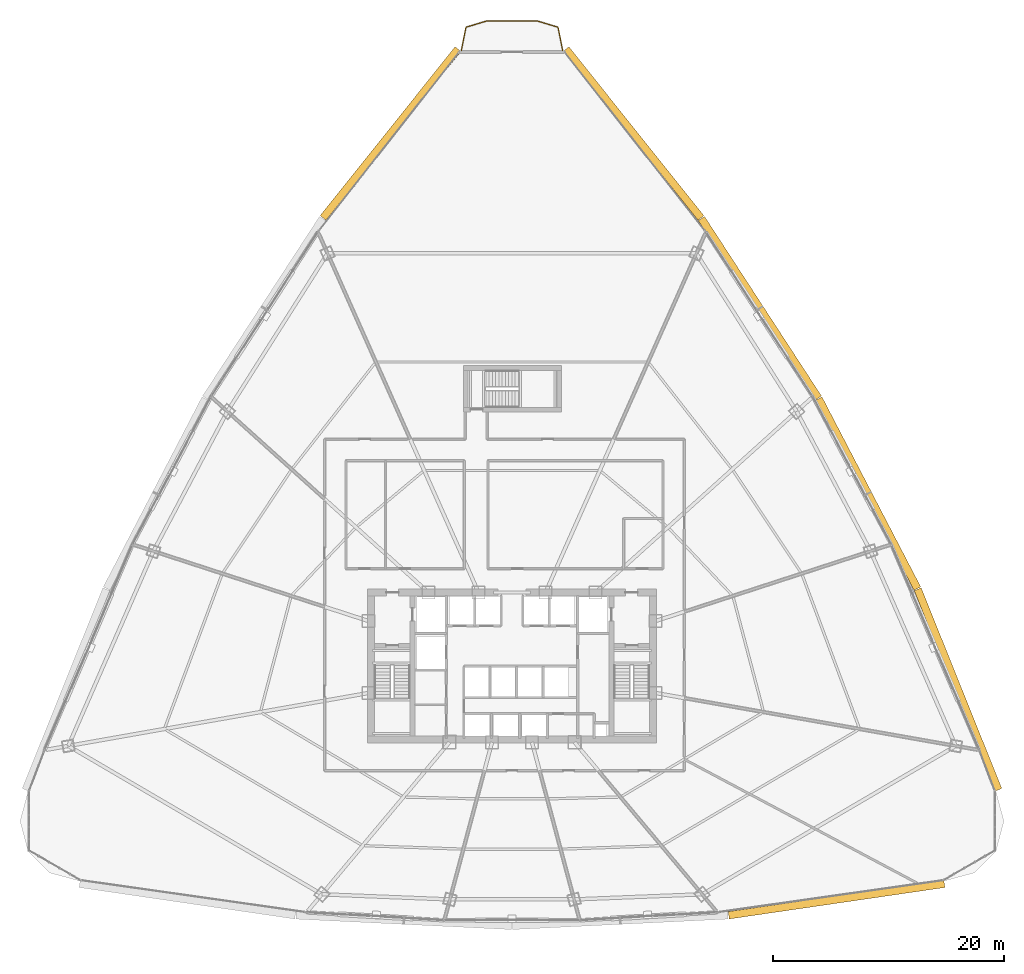
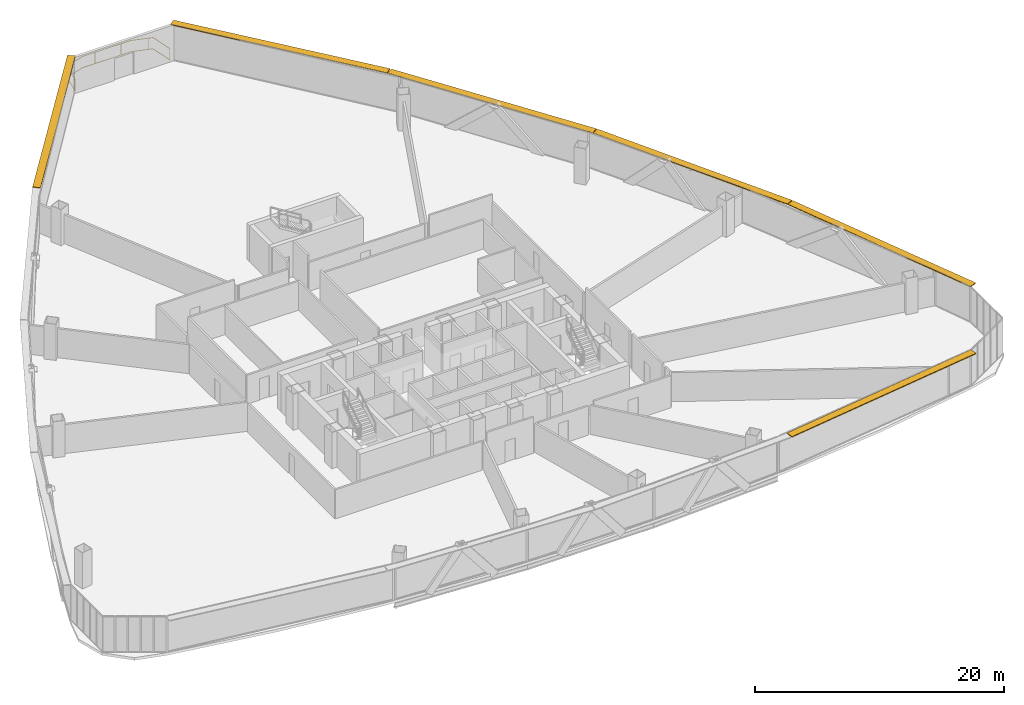
# One storey, part 39 of 39: 6 shading devices, 1 railing.
"""IFC4 building model written with IfcOpenShell, lengths in metres."""

from ifc_helpers import new_model, si_unit, direction, frame, origin, origin_2d, place, context, subcontext, project, spatial, rectangle, extrude, source, transform, mapped, material, layer, layer_set, type_object, element, save


model = new_model("IFC4")

# Units and contexts
model_context = context("Model", 3, precision=1e-05, world=origin(), true_north=direction((0.0, 1.0)))
body_context = subcontext(model_context, "Body", "Model", "MODEL_VIEW")
ifc_project = project(units=[si_unit("LENGTHUNIT", "METRE"), si_unit("AREAUNIT", "SQUARE_METRE"), si_unit("VOLUMEUNIT", "CUBIC_METRE"), si_unit("PLANEANGLEUNIT", "RADIAN"), si_unit("MASSUNIT", "GRAM", prefix="KILO"), si_unit("THERMODYNAMICTEMPERATUREUNIT", "KELVIN"), si_unit("POWERUNIT", "WATT")], contexts=[model_context])

# Site, building, storey
site_placement = place(None, origin())
site = spatial("IfcSite", under=ifc_project, at=site_placement, CompositionType="ELEMENT")
building_placement = place(site_placement, origin())
building = spatial("IfcBuilding", under=site, at=building_placement, Name="Yunzhuo Pagoda Commons", CompositionType="ELEMENT")
storey_placement = place(building_placement, frame((0.0, 0.0, 100.179931640625)))
storey = spatial("IfcBuildingStorey", under=building, at=storey_placement, Name="L25", CompositionType="ELEMENT", Elevation=100.179931640625)

# Railing
ifc_material = material(Name="Anodized aluminium 6063-T6", Category="aluminium")
railing_type = type_object("IfcRailingType", Name="RL-BAL1 Exterior Terrace & Balcony Balustrade 1150", PredefinedType="BALUSTRADE", material=ifc_material)
railing_placement = place(storey_placement, frame((52.38232421875, 87.034912109375, 0.0)))
element("IfcRailing", 1, at=railing_placement, inside=storey, type_object=railing_type, Name="L25 corner balcony balustrade V3", PredefinedType="BALUSTRADE", context=body_context, shape_type="SweptSolid", body=[
    extrude(rectangle(XDim=0.048095703125, YDim=0.048095703125, at=origin_2d()), frame((0.0, 0.0, 1.1259765625), z_axis=(-0.194223156668, 0.980957371864, 0.0), x_axis=(-0.980957371864, -0.194223156668, 0.0)), (0.0, 0.0, 1.0), 2.05908203125),
    extrude(rectangle(XDim=0.048095703125, YDim=0.048095703125, at=origin_2d()), frame((0.0, 0.0, 0.02392578125), z_axis=(-0.194223156668, 0.980957371864, 0.0), x_axis=(-0.980957371864, -0.194223156668, 0.0)), (0.0, 0.0, 1.0), 2.05908203125),
    extrude(rectangle(XDim=0.048095703125, YDim=0.048095703125, at=origin_2d()), frame((-0.39990234375, 2.019775390625, 1.1259765625), z_axis=(-0.957121984822, 0.289685184588, 0.0), x_axis=(-0.289685184588, -0.957121984822, 0.0)), (0.0, 0.0, 1.0), 1.82958984375),
    extrude(rectangle(XDim=0.048095703125, YDim=0.048095703125, at=origin_2d()), frame((-0.39990234375, 2.019775390625, 0.02392578125), z_axis=(-0.957121984822, 0.289685184588, 0.0), x_axis=(-0.289685184588, -0.957121984822, 0.0)), (0.0, 0.0, 1.0), 1.82958984375),
    extrude(rectangle(XDim=0.048095703125, YDim=0.048095703125, at=origin_2d()), frame((-2.151123046875, 2.5498046875, 1.1259765625), z_axis=(-1.0, 0.0, 0.0), x_axis=(0.0, -1.0, 0.0)), (0.0, 0.0, 1.0), 4.46240234375),
    extrude(rectangle(XDim=0.048095703125, YDim=0.048095703125, at=origin_2d()), frame((-2.151123046875, 2.5498046875, 0.02392578125), z_axis=(-1.0, 0.0, 0.0), x_axis=(0.0, -1.0, 0.0)), (0.0, 0.0, 1.0), 4.46240234375),
    extrude(rectangle(XDim=0.048095703125, YDim=0.048095703125, at=origin_2d()), frame((-6.613525390625, 2.5498046875, 1.1259765625), z_axis=(-0.957121984822, -0.289685184588, 0.0), x_axis=(0.289685184588, -0.957121984822, 0.0)), (0.0, 0.0, 1.0), 1.82958984375),
    extrude(rectangle(XDim=0.048095703125, YDim=0.048095703125, at=origin_2d()), frame((-6.613525390625, 2.5498046875, 0.02392578125), z_axis=(-0.957121984822, -0.289685184588, 0.0), x_axis=(0.289685184588, -0.957121984822, 0.0)), (0.0, 0.0, 1.0), 1.82958984375),
    extrude(rectangle(XDim=0.048095703125, YDim=0.048095703125, at=origin_2d()), frame((-8.36474609375, 2.019775390625, 1.1259765625), z_axis=(-0.194223156668, -0.980957371864, 0.0), x_axis=(0.980957371864, -0.194223156668, 0.0)), (0.0, 0.0, 1.0), 2.05908203125),
    extrude(rectangle(XDim=0.048095703125, YDim=0.048095703125, at=origin_2d()), frame((-8.36474609375, 2.019775390625, 0.02392578125), z_axis=(-0.194223156668, -0.980957371864, 0.0), x_axis=(0.980957371864, -0.194223156668, 0.0)), (0.0, 0.0, 1.0), 2.05908203125),
    extrude(rectangle(XDim=0.0419921875, YDim=0.0419921875, at=origin_2d()), origin(), (0.0, 0.0, 1.0), 1.101806640625),
    extrude(rectangle(XDim=0.0419921875, YDim=0.0419921875, at=origin_2d()), frame((-0.726318359375, 2.11865234375, 0.0)), (0.0, 0.0, 1.0), 1.101806640625),
    extrude(rectangle(XDim=0.0419921875, YDim=0.0419921875, at=origin_2d()), frame((-3.0625, 2.5498046875, 0.0)), (0.0, 0.0, 1.0), 1.101806640625),
    extrude(rectangle(XDim=0.0419921875, YDim=0.0419921875, at=origin_2d()), frame((-5.46240234375, 2.5498046875, 0.0)), (0.0, 0.0, 1.0), 1.101806640625),
    extrude(rectangle(XDim=0.0419921875, YDim=0.0419921875, at=origin_2d()), frame((-7.808837890625, 2.18798828125, 0.0)), (0.0, 0.0, 1.0), 1.101806640625),
    extrude(rectangle(XDim=0.0419921875, YDim=0.0419921875, at=origin_2d()), frame((-8.718017578125, 0.235107421875, 0.0)), (0.0, 0.0, 1.0), 1.101806640625),
    extrude(rectangle(XDim=0.0419921875, YDim=0.0419921875, at=origin_2d()), frame((-8.7646484375, 0.0, 0.0)), (0.0, 0.0, 1.0), 1.101806640625),
])

# Shading devices
ifc_layer = layer(ifc_material, 0.080078125)
ifc_layer_set = layer_set([ifc_layer], Name="Anodized aluminium 6063-T6")
shading_device_type = type_object("IfcShadingDeviceType", Name="SH-SUN1 Pagoda Horizontal Sunshade Eave 650", PredefinedType="USERDEFINED", material=ifc_layer_set)
shared_shape_1 = source(origin(), body_context, "Body", "SweptSolid", [
    extrude(rectangle(XDim=18.838134765625, YDim=0.64990234375, at=origin_2d()), origin(), (0.0, 0.0, 1.0), 0.080078125),
])
shading_device_placement = place(storey_placement, frame((76.054931640625, 13.65966796875, 3.4599609375), z_axis=(0.0, 0.0, 1.0), x_axis=(0.989510666697, 0.144459823108, 0.0)))
element("IfcShadingDevice", 2, at=shading_device_placement, inside=storey, type_object=shading_device_type, Name="L25 horizontal pagoda sunshade eave F1.4", ObjectType="SUNSHADE", PredefinedType="USERDEFINED", context=body_context, shape_type="MappedRepresentation", body=[
    mapped(shared_shape_1, transform((0.0, 0.0, 0.0), scale=1.0)),
])
shared_shape_2 = source(origin(), body_context, "Body", "SweptSolid", [
    extrude(rectangle(XDim=18.686767578125, YDim=0.64990234375, at=origin_2d()), origin(), (0.0, 0.0, 1.0), 0.080078125),
])
for number, where, z_axis, x_axis, name in (
    (3, (86.552978515625, 31.809814453125, 3.4599609375), (0.0, 0.0, 1.0), (-0.372987782576, 0.927836253899, 0.0), "L25 horizontal pagoda sunshade eave F2.1"),
    (4, (58.497314453125, 79.871826171875, 3.4599609375), (0.0, 0.0, 1.0), (-0.624520471688, 0.781008438138, 0.0), "L25 horizontal pagoda sunshade eave F2.4"),
    (5, (37.502685546875, 79.871826171875, 3.4599609375), (0.0, 0.0, 1.0), (-0.624520471688, -0.781008438138, 0.0), "L25 horizontal pagoda sunshade eave F3.1"),
):
    element("IfcShadingDevice", number, at=place(storey_placement, frame(where, z_axis=z_axis, x_axis=x_axis)), inside=storey, type_object=shading_device_type, Name=name, ObjectType="SUNSHADE", PredefinedType="USERDEFINED", context=body_context, shape_type="MappedRepresentation", body=[
        mapped(shared_shape_2, transform((0.0, 0.0, 0.0), scale=1.0)),
    ])
shared_shape_3 = source(origin(), body_context, "Body", "SweptSolid", [
    extrude(rectangle(XDim=18.509521484375, YDim=0.64990234375, at=origin_2d()), origin(), (0.0, 0.0, 1.0), 0.080078125),
])
for number, where, z_axis, x_axis, name in (
    (6, (78.773193359375, 48.748046875, 3.4599609375), (0.0, 0.0, 1.0), (-0.461206683033, 0.88729273384, 0.0), "L25 horizontal pagoda sunshade eave F2.2"),
    (7, (69.421142578125, 64.768798828125, 3.4599609375), (0.0, 0.0, 1.0), (-0.545838756973, 0.837890238269, 0.0), "L25 horizontal pagoda sunshade eave F2.3"),
):
    element("IfcShadingDevice", number, at=place(storey_placement, frame(where, z_axis=z_axis, x_axis=x_axis)), inside=storey, type_object=shading_device_type, Name=name, ObjectType="SUNSHADE", PredefinedType="USERDEFINED", context=body_context, shape_type="MappedRepresentation", body=[
        mapped(shared_shape_3, transform((0.0, 0.0, 0.0), scale=1.0)),
    ])

save(model, "model.ifc")
